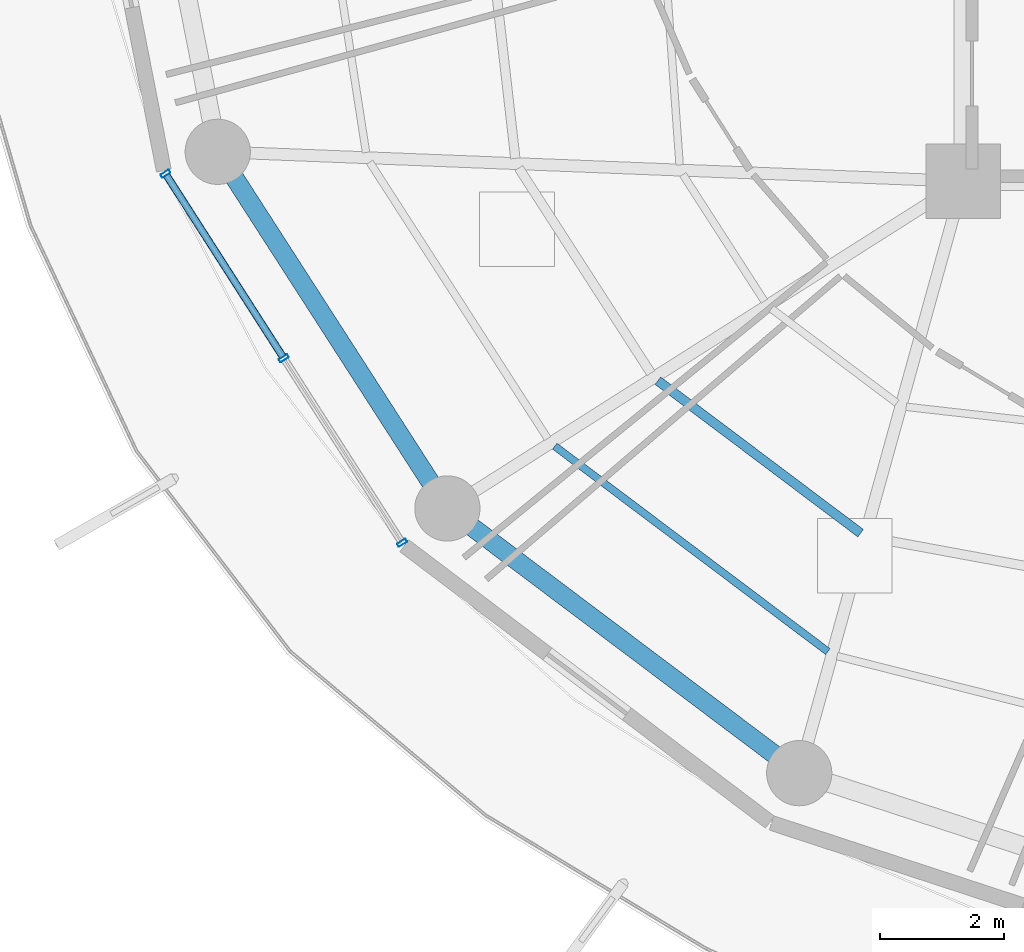
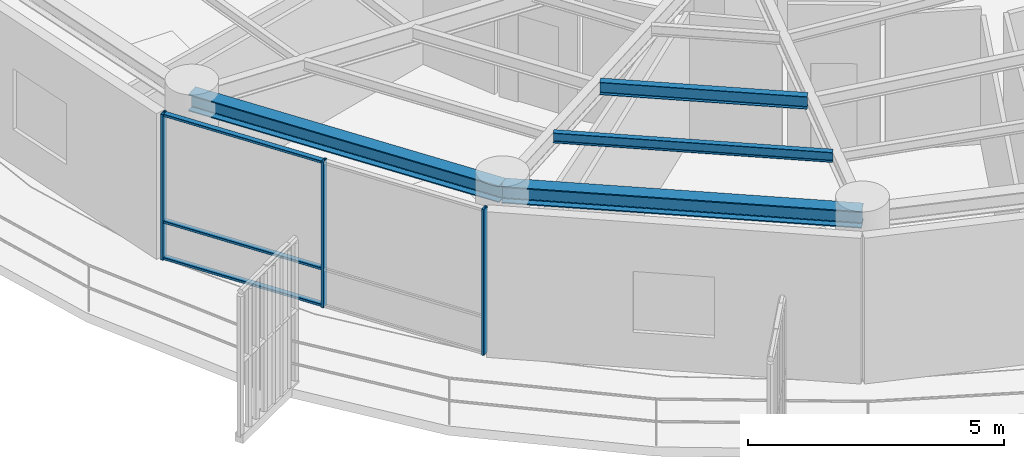
# One storey, part 2 of 31: 6 members, 4 beams, 1 element without a shape of its own.
"""IFC4 building model written with IfcOpenShell, lengths in metres."""

from ifc_helpers import new_model, si_unit, direction, frame, origin, origin_2d, place, context, subcontext, project, spatial, hollow_rectangle, i_section, extrude, material, layer, layer_set, material_profile, profile_set, type_object, element, aggregate, save


model = new_model("IFC4")

# Units and contexts
model_context = context("Model", 3, precision=1e-05, world=origin(), true_north=direction((0.0, 1.0)))
body_context = subcontext(model_context, "Body", "Model", "MODEL_VIEW")
ifc_project = project(units=[si_unit("LENGTHUNIT", "METRE"), si_unit("AREAUNIT", "SQUARE_METRE"), si_unit("VOLUMEUNIT", "CUBIC_METRE"), si_unit("PLANEANGLEUNIT", "RADIAN"), si_unit("MASSUNIT", "GRAM", prefix="KILO")], contexts=[model_context])

# Site, building, storey
site_placement = place(None, origin())
site = spatial("IfcSite", under=ifc_project, at=site_placement, CompositionType="ELEMENT")
building_placement = place(site_placement, origin())
building = spatial("IfcBuilding", under=site, at=building_placement, Name="Kelanora Arch Commons", CompositionType="ELEMENT")
storey_placement = place(building_placement, frame((0.0, 0.0, 193.199951171875)))
storey = spatial("IfcBuildingStorey", under=building, at=storey_placement, Name="L49", CompositionType="ELEMENT", Elevation=193.199951171875)

# Beams
ifc_material_1 = material(Name="Steel S355", Category="steel")
ifc_material_profile_1 = material_profile(ifc_material_1, i_section(OverallWidth=0.14990234375, OverallDepth=0.300048828125, WebThickness=0.007080078125, FlangeThickness=0.0107421875, FilletRadius=0.014892578125, at=origin_2d()), Name="IPE300")
ifc_profile_set_1 = profile_set([ifc_material_profile_1], Name="Steel S355")
beam_type_1 = type_object("IfcBeamType", Name="BM-JST-01", PredefinedType="JOIST", material=ifc_profile_set_1)
beam_1_placement = place(storey_placement, frame((61.087158203125, 47.790283203125, 3.340087890625), z_axis=(0.799101708656, -0.601195857624, 0.0), x_axis=(0.601195857624, 0.799101708656, 0.0)))
element("IfcBeam", 1, at=beam_1_placement, inside=storey, type_object=beam_type_1, Name="Secondary Chord Joist BJB-22 L49", PredefinedType="JOIST", context=body_context, shape_type="SweptSolid", body=[
    extrude(i_section(OverallWidth=0.14990234375, OverallDepth=0.300048828125, WebThickness=0.007080078125, FlangeThickness=0.0107421875, FilletRadius=0.014892578125, at=origin_2d()), origin(), (0.0, 0.0, 1.0), 4.080810546875),
])
ifc_material_profile_2 = material_profile(ifc_material_1, i_section(OverallWidth=0.1201171875, OverallDepth=0.239990234375, WebThickness=0.006103515625, FlangeThickness=0.009765625, FilletRadius=0.014892578125, at=origin_2d()), Name="IPE240")
ifc_profile_set_2 = profile_set([ifc_material_profile_2], Name="Steel S355")
beam_type_2 = type_object("IfcBeamType", Name="BM-JST-02", PredefinedType="JOIST", material=ifc_profile_set_2)
beam_2_placement = place(storey_placement, frame((59.4267578125, 46.7373046875, 3.3701171875), z_axis=(0.799109197935, -0.601185902842, 0.0), x_axis=(0.601185902842, 0.799109197935, 0.0)))
element("IfcBeam", 2, at=beam_2_placement, inside=storey, type_object=beam_type_2, Name="Secondary Chord Joist BJC-22 L49", PredefinedType="JOIST", context=body_context, shape_type="SweptSolid", body=[
    extrude(i_section(OverallWidth=0.1201171875, OverallDepth=0.239990234375, WebThickness=0.006103515625, FlangeThickness=0.009765625, FilletRadius=0.014892578125, at=origin_2d()), origin(), (0.0, 0.0, 1.0), 5.497802734375),
])
ifc_material_profile_3 = material_profile(ifc_material_1, i_section(OverallWidth=0.300048828125, OverallDepth=0.39990234375, WebThickness=0.013427734375, FlangeThickness=0.02392578125, FilletRadius=0.027099609375, at=origin_2d()), Name="HEB400")
ifc_profile_set_3 = profile_set([ifc_material_profile_3], Name="Steel S355")
beam_type_3 = type_object("IfcBeamType", Name="BM-SPN-Z4", PredefinedType="SPANDREL", material=ifc_profile_set_3)
beam_3_placement = place(storey_placement, frame((54.00341796875, 51.474365234375, 3.2900390625), z_axis=(0.541364878868, -0.840787766281, 0.0), x_axis=(0.840787766281, 0.541364878868, 0.0)))
element("IfcBeam", 3, at=beam_3_placement, inside=storey, type_object=beam_type_3, Name="Perimeter Spandrel Beam BS-20 L49", PredefinedType="SPANDREL", context=body_context, shape_type="SweptSolid", body=[
    extrude(i_section(OverallWidth=0.300048828125, OverallDepth=0.39990234375, WebThickness=0.013427734375, FlangeThickness=0.02392578125, FilletRadius=0.027099609375, at=origin_2d()), origin(), (0.0, 0.0, 1.0), 6.825439453125),
])
beam_4_placement = place(storey_placement, frame((57.698486328125, 45.735595703125, 3.2900390625), z_axis=(0.799114211715, -0.60117923836, 0.0), x_axis=(0.60117923836, 0.799114211715, 0.0)))
element("IfcBeam", 4, at=beam_4_placement, inside=storey, type_object=beam_type_3, Name="Perimeter Spandrel Beam BS-22 L49", PredefinedType="SPANDREL", context=body_context, shape_type="SweptSolid", body=[
    extrude(i_section(OverallWidth=0.300048828125, OverallDepth=0.39990234375, WebThickness=0.013427734375, FlangeThickness=0.02392578125, FilletRadius=0.027099609375, at=origin_2d()), origin(), (0.0, 0.0, 1.0), 7.0849609375),
])

# Curtain wall, members
ifc_material_2 = material(Name="Terracotta ceramic-fritted low-E glass and aluminium", Category="masonry")
ifc_layer = layer(ifc_material_2, 0.175048828125)
ifc_layer_set = layer_set([ifc_layer], Name="Terracotta ceramic-fritted low-E glass and aluminium")
curtain_wall_type = type_object("IfcCurtainWallType", Name="CW-SYS-02", PredefinedType="NOTDEFINED", material=ifc_layer_set)
curtain_wall_placement = place(storey_placement, origin())
curtain_wall = element("IfcCurtainWall", 5, at=curtain_wall_placement, inside=storey, type_object=curtain_wall_type, Name="Unitised Curtain Wall L49-B10", PredefinedType="NOTDEFINED")
ifc_material_3 = material(Name="Powder-coated aluminium terracotta", Category="masonry")
ifc_material_profile_4 = material_profile(ifc_material_3, hollow_rectangle(XDim=0.159912109375, YDim=0.06005859375, WallThickness=0.0048828125, InnerFilletRadius=0.0048828125, OuterFilletRadius=0.010009765625, at=origin_2d()), Name="CWM160x60")
ifc_profile_set_4 = profile_set([ifc_material_profile_4], Name="Powder-coated aluminium terracotta")
member_type_1 = type_object("IfcMemberType", Name="CWM-STD", PredefinedType="MULLION", material=ifc_profile_set_4)
member_1_placement = place(storey_placement, frame((53.1630859375, 51.121826171875, 0.0), z_axis=(0.0, 0.0, 1.0), x_axis=(0.84194757539, 0.539559338994, 0.0)))
member_1 = element("IfcMember", 6, at=member_1_placement, type_object=member_type_1, Name="CW-02 mullion 1", PredefinedType="MULLION", context=body_context, shape_type="SweptSolid", body=[
    extrude(hollow_rectangle(XDim=0.159912109375, YDim=0.06005859375, WallThickness=0.0048828125, InnerFilletRadius=0.0048828125, OuterFilletRadius=0.010009765625, at=origin_2d()), origin(), (0.0, 0.0, 1.0), 3.47509765625),
])
member_2_placement = place(storey_placement, frame((55.06640625, 48.15185546875, 0.0), z_axis=(0.0, 0.0, 1.0), x_axis=(0.84194757539, 0.539559338994, 0.0)))
member_2 = element("IfcMember", 7, at=member_2_placement, type_object=member_type_1, Name="CW-02 mullion 2", PredefinedType="MULLION", context=body_context, shape_type="SweptSolid", body=[
    extrude(hollow_rectangle(XDim=0.159912109375, YDim=0.06005859375, WallThickness=0.0048828125, InnerFilletRadius=0.0048828125, OuterFilletRadius=0.010009765625, at=origin_2d()), origin(), (0.0, 0.0, 1.0), 3.47509765625),
])
member_3_placement = place(storey_placement, frame((56.969482421875, 45.18212890625, 0.0), z_axis=(0.0, 0.0, 1.0), x_axis=(0.84194757539, 0.539559338994, 0.0)))
member_3 = element("IfcMember", 8, at=member_3_placement, type_object=member_type_1, Name="CW-02 mullion 3", PredefinedType="MULLION", context=body_context, shape_type="SweptSolid", body=[
    extrude(hollow_rectangle(XDim=0.159912109375, YDim=0.06005859375, WallThickness=0.0048828125, InnerFilletRadius=0.0048828125, OuterFilletRadius=0.010009765625, at=origin_2d()), origin(), (0.0, 0.0, 1.0), 3.47509765625),
])
ifc_material_profile_5 = material_profile(ifc_material_3, hollow_rectangle(XDim=0.1201171875, YDim=0.06005859375, WallThickness=0.0048828125, InnerFilletRadius=0.0048828125, OuterFilletRadius=0.010009765625, at=origin_2d()), Name="CWT120x60")
ifc_profile_set_5 = profile_set([ifc_material_profile_5], Name="Powder-coated aluminium terracotta")
member_type_2 = type_object("IfcMemberType", Name="CWT-STD", PredefinedType="USERDEFINED", material=ifc_profile_set_5)
member_4_placement = place(storey_placement, frame((53.17919921875, 51.096435546875, 0.030029296875), z_axis=(0.539579095642, -0.84193491408, 0.0), x_axis=(0.84193491408, 0.539579095642, 0.0)))
member_4 = element("IfcMember", 9, at=member_4_placement, type_object=member_type_2, Name="CW-02 transom 1.1", ObjectType="TRANSOM", PredefinedType="USERDEFINED", context=body_context, shape_type="SweptSolid", body=[
    extrude(hollow_rectangle(XDim=0.1201171875, YDim=0.06005859375, WallThickness=0.0048828125, InnerFilletRadius=0.0048828125, OuterFilletRadius=0.010009765625, at=origin_2d()), origin(), (0.0, 0.0, 1.0), 3.46728515625),
])
member_5_placement = place(storey_placement, frame((53.17919921875, 51.096435546875, 0.900146484375), z_axis=(0.539579095642, -0.84193491408, 0.0), x_axis=(0.84193491408, 0.539579095642, 0.0)))
member_5 = element("IfcMember", 10, at=member_5_placement, type_object=member_type_2, Name="CW-02 transom 1.2", ObjectType="TRANSOM", PredefinedType="USERDEFINED", context=body_context, shape_type="SweptSolid", body=[
    extrude(hollow_rectangle(XDim=0.1201171875, YDim=0.06005859375, WallThickness=0.0048828125, InnerFilletRadius=0.0048828125, OuterFilletRadius=0.010009765625, at=origin_2d()), origin(), (0.0, 0.0, 1.0), 3.46728515625),
])
member_6_placement = place(storey_placement, frame((53.17919921875, 51.096435546875, 3.445068359375), z_axis=(0.539579095642, -0.84193491408, 0.0), x_axis=(0.84193491408, 0.539579095642, 0.0)))
member_6 = element("IfcMember", 11, at=member_6_placement, type_object=member_type_2, Name="CW-02 transom 1.3", ObjectType="TRANSOM", PredefinedType="USERDEFINED", context=body_context, shape_type="SweptSolid", body=[
    extrude(hollow_rectangle(XDim=0.1201171875, YDim=0.06005859375, WallThickness=0.0048828125, InnerFilletRadius=0.0048828125, OuterFilletRadius=0.010009765625, at=origin_2d()), origin(), (0.0, 0.0, 1.0), 3.46728515625),
])
aggregate(curtain_wall, [member_1, member_2, member_3, member_4, member_5, member_6])

save(model, "model.ifc")
